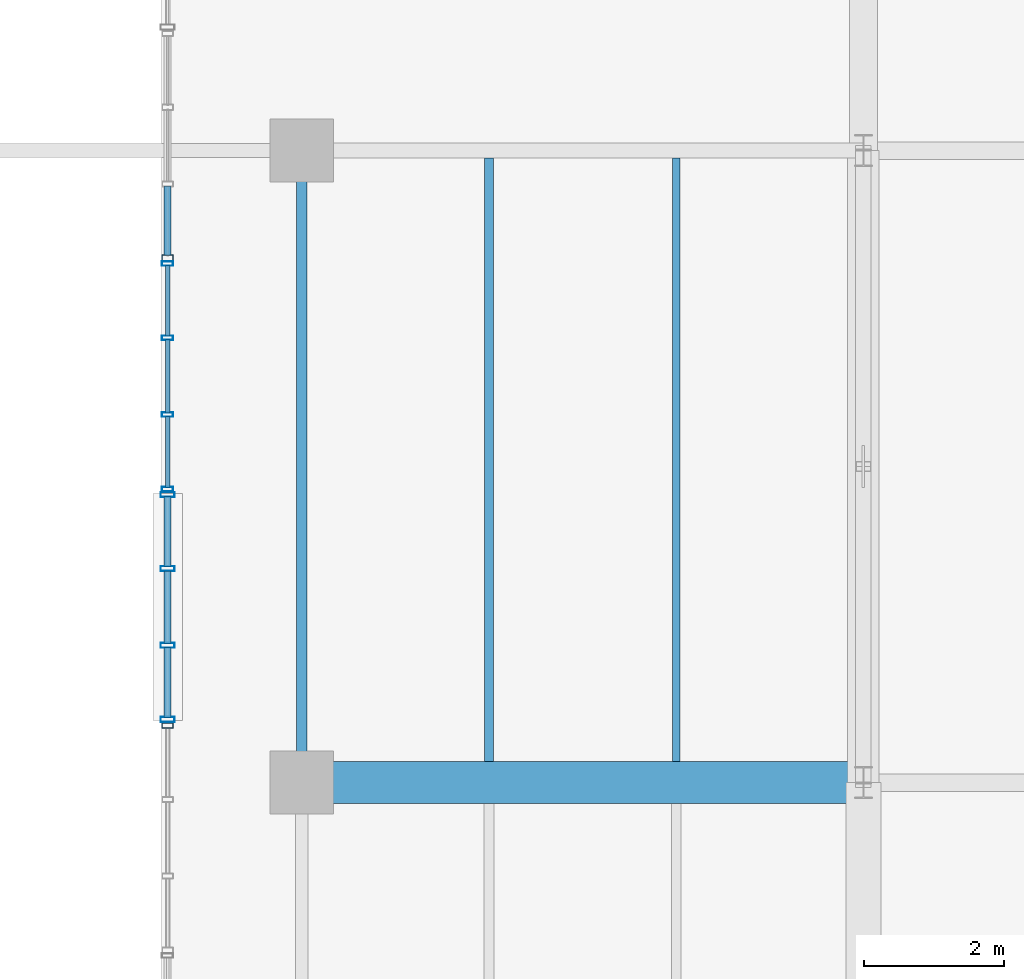
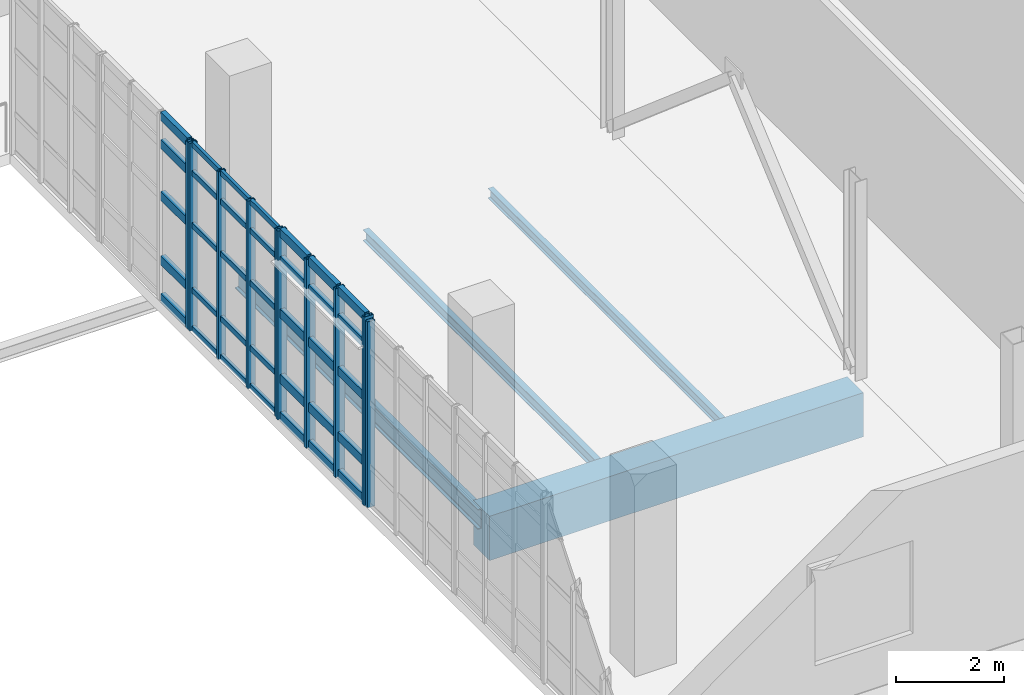
# One storey, part 28 of 85: 45 members, 4 beams, 4 elements without a shape of their own.
"""IFC4 building model written with IfcOpenShell, lengths in metres."""

from ifc_helpers import new_model, si_unit, derived_unit, direction, frame, origin, origin_2d, place, context, subcontext, project, spatial, rectangle, hollow_rectangle, i_section, extrude, material, layer, layer_set, material_profile, profile_set, type_object, element, aggregate, save


model = new_model("IFC4")

# Units and contexts
model_context = context("Model", 3, precision=1e-05, world=origin(), true_north=direction((0.0, 1.0)))
body_context = subcontext(model_context, "Body", "Model", "MODEL_VIEW")
ifc_project = project(units=[si_unit("LENGTHUNIT", "METRE"), si_unit("AREAUNIT", "SQUARE_METRE"), si_unit("VOLUMEUNIT", "CUBIC_METRE"), si_unit("PLANEANGLEUNIT", "RADIAN"), si_unit("MASSUNIT", "GRAM", prefix="KILO"), derived_unit("THERMALTRANSMITTANCEUNIT", [(si_unit("POWERUNIT", "WATT"), 1), (si_unit("LENGTHUNIT", "METRE"), -2), (si_unit("THERMODYNAMICTEMPERATUREUNIT", "KELVIN"), -1)])], contexts=[model_context])

# Site, building, storey
site_placement = place(None, origin())
site = spatial("IfcSite", under=ifc_project, at=site_placement, CompositionType="ELEMENT")
building_placement = place(site_placement, origin())
building = spatial("IfcBuilding", under=site, at=building_placement, Name="Nallur Shell Playhouse", CompositionType="ELEMENT")
storey_placement = place(building_placement, frame((0.0, 0.0, 19.800048828125)))
storey = spatial("IfcBuildingStorey", under=building, at=storey_placement, Name="L05", CompositionType="ELEMENT", Elevation=19.800048828125)

# Beams
ifc_material_1 = material(Name="Steel E250", Category="steel")
ifc_material_profile_1 = material_profile(ifc_material_1, i_section(OverallWidth=0.110107421875, OverallDepth=0.22509765625, WebThickness=0.006591796875, FlangeThickness=0.01171875, FilletRadius=0.011962890625, at=origin_2d()), Name="ISMB 225")
ifc_profile_set_1 = profile_set([ifc_material_profile_1], Name="Steel E250")
beam_type_1 = type_object("IfcBeamType", Name="BM-JST-ISMB225", PredefinedType="JOIST", material=ifc_profile_set_1)
beam_1_placement = place(storey_placement, frame((61.333251953125, 56.298095703125, -0.362548828125), z_axis=(0.0, 1.0, 0.0), x_axis=(-1.0, 0.0, 0.0)))
element("IfcBeam", 1, at=beam_1_placement, inside=storey, type_object=beam_type_1, Name="L05 secondary joist 7-G-1097", PredefinedType="JOIST", context=body_context, shape_type="SweptSolid", body=[
    extrude(i_section(OverallWidth=0.110107421875, OverallDepth=0.22509765625, WebThickness=0.006591796875, FlangeThickness=0.01171875, FilletRadius=0.011962890625, at=origin_2d()), origin(), (0.0, 0.0, 1.0), 8.598876953125),
])
ifc_material_profile_2 = material_profile(ifc_material_1, i_section(OverallWidth=0.125, OverallDepth=0.25, WebThickness=0.0068359375, FlangeThickness=0.012451171875, FilletRadius=0.012939453125, at=origin_2d()), Name="ISMB 250")
ifc_profile_set_2 = profile_set([ifc_material_profile_2], Name="Steel E250")
beam_type_2 = type_object("IfcBeamType", Name="BM-JST-ISMB250", PredefinedType="JOIST", material=ifc_profile_set_2)
beam_2_placement = place(storey_placement, frame((58.666748046875, 56.298095703125, -0.375), z_axis=(0.0, 1.0, 0.0), x_axis=(-1.0, 0.0, 0.0)))
element("IfcBeam", 2, at=beam_2_placement, inside=storey, type_object=beam_type_2, Name="L05 secondary joist 7-G-1096", PredefinedType="JOIST", context=body_context, shape_type="SweptSolid", body=[
    extrude(i_section(OverallWidth=0.125, OverallDepth=0.25, WebThickness=0.0068359375, FlangeThickness=0.012451171875, FilletRadius=0.012939453125, at=origin_2d()), origin(), (0.0, 0.0, 1.0), 8.598876953125),
])
ifc_material_2 = material(Name="Concrete M40", Category="concrete")
ifc_material_profile_3 = material_profile(ifc_material_2, rectangle(XDim=0.60009765625, YDim=1.0, at=origin_2d()), Name="RC 600x1000")
ifc_profile_set_3 = profile_set([ifc_material_profile_3], Name="Concrete M40")
beam_type_3 = type_object("IfcBeamType", Name="BM-RC-600x1000", PredefinedType="BEAM", material=ifc_profile_set_3)
beam_3_placement = place(storey_placement, frame((56.0, 56.0, -0.75), z_axis=(1.0, 0.0, 0.0), x_axis=(0.0, 1.0, 0.0)))
element("IfcBeam", 3, at=beam_3_placement, inside=storey, type_object=beam_type_3, Name="L05 girder X-G-972", PredefinedType="BEAM", context=body_context, shape_type="SweptSolid", body=[
    extrude(rectangle(XDim=0.60009765625, YDim=1.0, at=origin_2d()), origin(), (0.0, 0.0, 1.0), 8.0),
])
ifc_material_3 = material(Name="Steel E350", Category="steel")
ifc_material_profile_4 = material_profile(ifc_material_3, i_section(OverallWidth=0.14990234375, OverallDepth=0.449951171875, WebThickness=0.009521484375, FlangeThickness=0.017333984375, FilletRadius=0.014892578125, at=origin_2d()), Name="ISMB 450")
ifc_profile_set_4 = profile_set([ifc_material_profile_4], Name="Steel E350")
beam_type_4 = type_object("IfcBeamType", Name="BM-ST-ISMB450", PredefinedType="BEAM", material=ifc_profile_set_4)
beam_4_placement = place(storey_placement, frame((56.0, 56.0, -0.47509765625), z_axis=(0.0, 1.0, 0.0), x_axis=(-1.0, 0.0, 0.0)))
element("IfcBeam", 4, at=beam_4_placement, inside=storey, type_object=beam_type_4, Name="L05 girder Y-7-1019", PredefinedType="BEAM", context=body_context, shape_type="SweptSolid", body=[
    extrude(i_section(OverallWidth=0.14990234375, OverallDepth=0.449951171875, WebThickness=0.009521484375, FlangeThickness=0.017333984375, FilletRadius=0.014892578125, at=origin_2d()), origin(), (0.0, 0.0, 1.0), 9.0),
])

# Curtain wall, member
ifc_material_4 = material(Name="Anodised Aluminium Double-Glazed Facade System", Category="aluminium")
ifc_layer_1 = layer(ifc_material_4, 0.1640625)
ifc_layer_set_1 = layer_set([ifc_layer_1], Name="Anodised Aluminium Double-Glazed Facade System")
curtain_wall_type_1 = type_object("IfcCurtainWallType", Name="CW-UNIT-07", PredefinedType="NOTDEFINED", material=ifc_layer_set_1)
curtain_wall_1_placement = place(storey_placement, origin())
curtain_wall_1 = element("IfcCurtainWall", 5, at=curtain_wall_1_placement, inside=storey, type_object=curtain_wall_type_1, Name="Unitised curtain wall CW-167 (L05)", PredefinedType="NOTDEFINED")
ifc_material_5 = material(Name="Aluminium Alloy 6063-T6 Mullion", Category="aluminium")
ifc_material_profile_5 = material_profile(ifc_material_5, hollow_rectangle(XDim=0.080078125, YDim=0.159912109375, WallThickness=0.006103515625, at=origin_2d()), Name="RHS 160x80x6")
ifc_profile_set_5 = profile_set([ifc_material_profile_5], Name="Aluminium Alloy 6063-T6 Mullion")
member_type_1 = type_object("IfcMemberType", Name="MB-CW-MUL150", PredefinedType="MULLION", material=ifc_profile_set_5)
member_1_placement = place(storey_placement, frame((54.090087890625, 56.81201171875, -0.01513671875), z_axis=(0.0, 0.0, 1.0), x_axis=(0.0, 1.0, 0.0)))
member_1 = element("IfcMember", 6, at=member_1_placement, type_object=member_type_1, Name="CW-07 mullion 4", PredefinedType="MULLION", context=body_context, shape_type="SweptSolid", body=[
    extrude(hollow_rectangle(XDim=0.080078125, YDim=0.159912109375, WallThickness=0.006103515625, at=origin_2d()), origin(), (0.0, 0.0, 1.0), 4.208984375),
])
aggregate(curtain_wall_1, [member_1])

ifc_layer_2 = layer(ifc_material_4, 0.176025390625)
ifc_layer_set_2 = layer_set([ifc_layer_2], Name="Anodised Aluminium Double-Glazed Facade System")
curtain_wall_type_2 = type_object("IfcCurtainWallType", Name="CW-UNIT-10", PredefinedType="NOTDEFINED", material=ifc_layer_set_2)
curtain_wall_2_placement = place(storey_placement, origin())
curtain_wall_2 = element("IfcCurtainWall", 7, at=curtain_wall_2_placement, inside=storey, type_object=curtain_wall_type_2, Name="Unitised curtain wall CW-170 (L05)", PredefinedType="NOTDEFINED")
member_2_placement = place(storey_placement, frame((54.090087890625, 63.4736328125, -0.01513671875), z_axis=(0.0, 0.0, 1.0), x_axis=(0.0, 1.0, 0.0)))
member_2 = element("IfcMember", 8, at=member_2_placement, type_object=member_type_1, Name="CW-10 mullion 1", PredefinedType="MULLION", context=body_context, shape_type="SweptSolid", body=[
    extrude(hollow_rectangle(XDim=0.080078125, YDim=0.159912109375, WallThickness=0.006103515625, at=origin_2d()), origin(), (0.0, 0.0, 1.0), 4.22900390625),
])

# Curtain wall, members
ifc_layer_3 = layer(ifc_material_4, 0.172119140625)
ifc_layer_set_3 = layer_set([ifc_layer_3], Name="Anodised Aluminium Double-Glazed Facade System")
curtain_wall_type_3 = type_object("IfcCurtainWallType", Name="CW-UNIT-09", PredefinedType="NOTDEFINED", material=ifc_layer_set_3)
curtain_wall_3_placement = place(storey_placement, origin())
curtain_wall_3 = element("IfcCurtainWall", 9, at=curtain_wall_3_placement, inside=storey, type_object=curtain_wall_type_3, Name="Unitised curtain wall CW-169 (L05)", PredefinedType="NOTDEFINED")
ifc_material_profile_6 = material_profile(ifc_material_5, hollow_rectangle(XDim=0.06494140625, YDim=0.159912109375, WallThickness=0.00390625, at=origin_2d()), Name="ALU 65x160x4")
ifc_profile_set_6 = profile_set([ifc_material_profile_6], Name="Aluminium Alloy 6063-T6 Mullion")
member_type_2 = type_object("IfcMemberType", Name="MB-CW-MUL160", PredefinedType="MULLION", material=ifc_profile_set_6)
member_3_placement = place(storey_placement, frame((54.090087890625, 60.180419921875, -0.01513671875), z_axis=(0.0, 0.0, 1.0), x_axis=(0.0, 1.0, 0.0)))
member_3 = element("IfcMember", 10, at=member_3_placement, type_object=member_type_2, Name="CW-09 mullion 1", PredefinedType="MULLION", context=body_context, shape_type="SweptSolid", body=[
    extrude(hollow_rectangle(XDim=0.06494140625, YDim=0.159912109375, WallThickness=0.00390625, at=origin_2d()), origin(), (0.0, 0.0, 1.0), 4.2490234375),
])
member_4_placement = place(storey_placement, frame((54.090087890625, 61.23974609375, -0.01513671875), z_axis=(0.0, 0.0, 1.0), x_axis=(0.0, 1.0, 0.0)))
member_4 = element("IfcMember", 11, at=member_4_placement, type_object=member_type_2, Name="CW-09 mullion 2", PredefinedType="MULLION", context=body_context, shape_type="SweptSolid", body=[
    extrude(hollow_rectangle(XDim=0.06494140625, YDim=0.159912109375, WallThickness=0.00390625, at=origin_2d()), origin(), (0.0, 0.0, 1.0), 4.2490234375),
])
member_5_placement = place(storey_placement, frame((54.090087890625, 62.331787109375, -0.01513671875), z_axis=(0.0, 0.0, 1.0), x_axis=(0.0, 1.0, 0.0)))
member_5 = element("IfcMember", 12, at=member_5_placement, type_object=member_type_2, Name="CW-09 mullion 3", PredefinedType="MULLION", context=body_context, shape_type="SweptSolid", body=[
    extrude(hollow_rectangle(XDim=0.06494140625, YDim=0.159912109375, WallThickness=0.00390625, at=origin_2d()), origin(), (0.0, 0.0, 1.0), 4.2490234375),
])
member_6_placement = place(storey_placement, frame((54.090087890625, 63.39111328125, -0.01513671875), z_axis=(0.0, 0.0, 1.0), x_axis=(0.0, 1.0, 0.0)))
member_6 = element("IfcMember", 13, at=member_6_placement, type_object=member_type_2, Name="CW-09 mullion 4", PredefinedType="MULLION", context=body_context, shape_type="SweptSolid", body=[
    extrude(hollow_rectangle(XDim=0.06494140625, YDim=0.159912109375, WallThickness=0.00390625, at=origin_2d()), origin(), (0.0, 0.0, 1.0), 4.2490234375),
])

ifc_layer_4 = layer(ifc_material_4, 0.16796875)
ifc_layer_set_4 = layer_set([ifc_layer_4], Name="Anodised Aluminium Double-Glazed Facade System")
curtain_wall_type_4 = type_object("IfcCurtainWallType", Name="CW-UNIT-08", PredefinedType="NOTDEFINED", material=ifc_layer_set_4)
curtain_wall_4_placement = place(storey_placement, origin())
curtain_wall_4 = element("IfcCurtainWall", 14, at=curtain_wall_4_placement, inside=storey, type_object=curtain_wall_type_4, Name="Unitised curtain wall CW-168 (L05)", PredefinedType="NOTDEFINED")
ifc_material_profile_7 = material_profile(ifc_material_5, hollow_rectangle(XDim=0.074951171875, YDim=0.199951171875, WallThickness=0.0048828125, at=origin_2d()), Name="ALU 75x200x5")
ifc_profile_set_7 = profile_set([ifc_material_profile_7], Name="Aluminium Alloy 6063-T6 Mullion")
member_type_3 = type_object("IfcMemberType", Name="MB-CW-MUL180", PredefinedType="MULLION", material=ifc_profile_set_7)
member_7_placement = place(storey_placement, frame((54.090087890625, 56.899658203125, -0.01513671875), z_axis=(0.0, 0.0, 1.0), x_axis=(0.0, 1.0, 0.0)))
member_7 = element("IfcMember", 15, at=member_7_placement, type_object=member_type_3, Name="CW-08 mullion 1", PredefinedType="MULLION", context=body_context, shape_type="SweptSolid", body=[
    extrude(hollow_rectangle(XDim=0.074951171875, YDim=0.199951171875, WallThickness=0.0048828125, at=origin_2d()), origin(), (0.0, 0.0, 1.0), 4.26904296875),
])
member_8_placement = place(storey_placement, frame((54.090087890625, 57.9541015625, -0.01513671875), z_axis=(0.0, 0.0, 1.0), x_axis=(0.0, 1.0, 0.0)))
member_8 = element("IfcMember", 16, at=member_8_placement, type_object=member_type_3, Name="CW-08 mullion 2", PredefinedType="MULLION", context=body_context, shape_type="SweptSolid", body=[
    extrude(hollow_rectangle(XDim=0.074951171875, YDim=0.199951171875, WallThickness=0.0048828125, at=origin_2d()), origin(), (0.0, 0.0, 1.0), 4.26904296875),
])
member_9_placement = place(storey_placement, frame((54.090087890625, 59.0458984375, -0.01513671875), z_axis=(0.0, 0.0, 1.0), x_axis=(0.0, 1.0, 0.0)))
member_9 = element("IfcMember", 17, at=member_9_placement, type_object=member_type_3, Name="CW-08 mullion 3", PredefinedType="MULLION", context=body_context, shape_type="SweptSolid", body=[
    extrude(hollow_rectangle(XDim=0.074951171875, YDim=0.199951171875, WallThickness=0.0048828125, at=origin_2d()), origin(), (0.0, 0.0, 1.0), 4.26904296875),
])
member_10_placement = place(storey_placement, frame((54.090087890625, 60.100341796875, -0.01513671875), z_axis=(0.0, 0.0, 1.0), x_axis=(0.0, 1.0, 0.0)))
member_10 = element("IfcMember", 18, at=member_10_placement, type_object=member_type_3, Name="CW-08 mullion 4", PredefinedType="MULLION", context=body_context, shape_type="SweptSolid", body=[
    extrude(hollow_rectangle(XDim=0.074951171875, YDim=0.199951171875, WallThickness=0.0048828125, at=origin_2d()), origin(), (0.0, 0.0, 1.0), 4.26904296875),
])

# Member
ifc_material_6 = material(Name="Aluminium Alloy 6063-T6 Transom", Category="aluminium")
ifc_material_profile_8 = material_profile(ifc_material_6, hollow_rectangle(XDim=0.06494140625, YDim=0.1201171875, WallThickness=0.00390625, at=origin_2d()), Name="ALU 65x120x4")
ifc_profile_set_8 = profile_set([ifc_material_profile_8], Name="Aluminium Alloy 6063-T6 Transom")
member_type_4 = type_object("IfcMemberType", Name="MB-CW-TRN120", PredefinedType="USERDEFINED", material=ifc_profile_set_8)
member_11_placement = place(storey_placement, frame((54.090087890625, 60.204833984375, 0.032470703125), z_axis=(0.0, 1.0, 0.0), x_axis=(-1.0, 0.0, 0.0)))
member_11 = element("IfcMember", 19, at=member_11_placement, type_object=member_type_4, Name="CW-09 transom 1.1", ObjectType="TRANSOM", PredefinedType="USERDEFINED", context=body_context, shape_type="SweptSolid", body=[
    extrude(hollow_rectangle(XDim=0.06494140625, YDim=0.1201171875, WallThickness=0.00390625, at=origin_2d()), origin(), (0.0, 0.0, 1.0), 1.010498046875),
])

member_12_placement = place(storey_placement, frame((54.090087890625, 60.204833984375, 0.89990234375), z_axis=(0.0, 1.0, 0.0), x_axis=(-1.0, 0.0, 0.0)))
member_12 = element("IfcMember", 20, at=member_12_placement, type_object=member_type_4, Name="CW-09 transom 1.2", ObjectType="TRANSOM", PredefinedType="USERDEFINED", context=body_context, shape_type="SweptSolid", body=[
    extrude(hollow_rectangle(XDim=0.06494140625, YDim=0.1201171875, WallThickness=0.00390625, at=origin_2d()), origin(), (0.0, 0.0, 1.0), 1.010498046875),
])

member_13_placement = place(storey_placement, frame((54.090087890625, 60.204833984375, 2.368896484375), z_axis=(0.0, 1.0, 0.0), x_axis=(-1.0, 0.0, 0.0)))
member_13 = element("IfcMember", 21, at=member_13_placement, type_object=member_type_4, Name="CW-09 transom 1.3", ObjectType="TRANSOM", PredefinedType="USERDEFINED", context=body_context, shape_type="SweptSolid", body=[
    extrude(hollow_rectangle(XDim=0.06494140625, YDim=0.1201171875, WallThickness=0.00390625, at=origin_2d()), origin(), (0.0, 0.0, 1.0), 1.010498046875),
])

member_14_placement = place(storey_placement, frame((54.090087890625, 60.204833984375, 3.550048828125), z_axis=(0.0, 1.0, 0.0), x_axis=(-1.0, 0.0, 0.0)))
member_14 = element("IfcMember", 22, at=member_14_placement, type_object=member_type_4, Name="CW-09 transom 1.4", ObjectType="TRANSOM", PredefinedType="USERDEFINED", context=body_context, shape_type="SweptSolid", body=[
    extrude(hollow_rectangle(XDim=0.06494140625, YDim=0.1201171875, WallThickness=0.00390625, at=origin_2d()), origin(), (0.0, 0.0, 1.0), 1.010498046875),
])

member_15_placement = place(storey_placement, frame((54.090087890625, 60.204833984375, 4.197509765625), z_axis=(0.0, 1.0, 0.0), x_axis=(-1.0, 0.0, 0.0)))
member_15 = element("IfcMember", 23, at=member_15_placement, type_object=member_type_4, Name="CW-09 transom 1.5", ObjectType="TRANSOM", PredefinedType="USERDEFINED", context=body_context, shape_type="SweptSolid", body=[
    extrude(hollow_rectangle(XDim=0.06494140625, YDim=0.1201171875, WallThickness=0.00390625, at=origin_2d()), origin(), (0.0, 0.0, 1.0), 1.010498046875),
])

member_16_placement = place(storey_placement, frame((54.090087890625, 61.264404296875, 0.032470703125), z_axis=(0.0, 1.0, 0.0), x_axis=(-1.0, 0.0, 0.0)))
member_16 = element("IfcMember", 24, at=member_16_placement, type_object=member_type_4, Name="CW-09 transom 2.1", ObjectType="TRANSOM", PredefinedType="USERDEFINED", context=body_context, shape_type="SweptSolid", body=[
    extrude(hollow_rectangle(XDim=0.06494140625, YDim=0.1201171875, WallThickness=0.00390625, at=origin_2d()), origin(), (0.0, 0.0, 1.0), 1.042724609375),
])

member_17_placement = place(storey_placement, frame((54.090087890625, 61.264404296875, 0.89990234375), z_axis=(0.0, 1.0, 0.0), x_axis=(-1.0, 0.0, 0.0)))
member_17 = element("IfcMember", 25, at=member_17_placement, type_object=member_type_4, Name="CW-09 transom 2.2", ObjectType="TRANSOM", PredefinedType="USERDEFINED", context=body_context, shape_type="SweptSolid", body=[
    extrude(hollow_rectangle(XDim=0.06494140625, YDim=0.1201171875, WallThickness=0.00390625, at=origin_2d()), origin(), (0.0, 0.0, 1.0), 1.042724609375),
])

member_18_placement = place(storey_placement, frame((54.090087890625, 61.264404296875, 2.368896484375), z_axis=(0.0, 1.0, 0.0), x_axis=(-1.0, 0.0, 0.0)))
member_18 = element("IfcMember", 26, at=member_18_placement, type_object=member_type_4, Name="CW-09 transom 2.3", ObjectType="TRANSOM", PredefinedType="USERDEFINED", context=body_context, shape_type="SweptSolid", body=[
    extrude(hollow_rectangle(XDim=0.06494140625, YDim=0.1201171875, WallThickness=0.00390625, at=origin_2d()), origin(), (0.0, 0.0, 1.0), 1.042724609375),
])

member_19_placement = place(storey_placement, frame((54.090087890625, 61.264404296875, 3.550048828125), z_axis=(0.0, 1.0, 0.0), x_axis=(-1.0, 0.0, 0.0)))
member_19 = element("IfcMember", 27, at=member_19_placement, type_object=member_type_4, Name="CW-09 transom 2.4", ObjectType="TRANSOM", PredefinedType="USERDEFINED", context=body_context, shape_type="SweptSolid", body=[
    extrude(hollow_rectangle(XDim=0.06494140625, YDim=0.1201171875, WallThickness=0.00390625, at=origin_2d()), origin(), (0.0, 0.0, 1.0), 1.042724609375),
])

member_20_placement = place(storey_placement, frame((54.090087890625, 61.264404296875, 4.197509765625), z_axis=(0.0, 1.0, 0.0), x_axis=(-1.0, 0.0, 0.0)))
member_20 = element("IfcMember", 28, at=member_20_placement, type_object=member_type_4, Name="CW-09 transom 2.5", ObjectType="TRANSOM", PredefinedType="USERDEFINED", context=body_context, shape_type="SweptSolid", body=[
    extrude(hollow_rectangle(XDim=0.06494140625, YDim=0.1201171875, WallThickness=0.00390625, at=origin_2d()), origin(), (0.0, 0.0, 1.0), 1.042724609375),
])

member_21_placement = place(storey_placement, frame((54.090087890625, 62.356201171875, 0.032470703125), z_axis=(0.0, 1.0, 0.0), x_axis=(-1.0, 0.0, 0.0)))
member_21 = element("IfcMember", 29, at=member_21_placement, type_object=member_type_4, Name="CW-09 transom 3.1", ObjectType="TRANSOM", PredefinedType="USERDEFINED", context=body_context, shape_type="SweptSolid", body=[
    extrude(hollow_rectangle(XDim=0.06494140625, YDim=0.1201171875, WallThickness=0.00390625, at=origin_2d()), origin(), (0.0, 0.0, 1.0), 1.010498046875),
])

member_22_placement = place(storey_placement, frame((54.090087890625, 62.356201171875, 0.89990234375), z_axis=(0.0, 1.0, 0.0), x_axis=(-1.0, 0.0, 0.0)))
member_22 = element("IfcMember", 30, at=member_22_placement, type_object=member_type_4, Name="CW-09 transom 3.2", ObjectType="TRANSOM", PredefinedType="USERDEFINED", context=body_context, shape_type="SweptSolid", body=[
    extrude(hollow_rectangle(XDim=0.06494140625, YDim=0.1201171875, WallThickness=0.00390625, at=origin_2d()), origin(), (0.0, 0.0, 1.0), 1.010498046875),
])

member_23_placement = place(storey_placement, frame((54.090087890625, 62.356201171875, 2.368896484375), z_axis=(0.0, 1.0, 0.0), x_axis=(-1.0, 0.0, 0.0)))
member_23 = element("IfcMember", 31, at=member_23_placement, type_object=member_type_4, Name="CW-09 transom 3.3", ObjectType="TRANSOM", PredefinedType="USERDEFINED", context=body_context, shape_type="SweptSolid", body=[
    extrude(hollow_rectangle(XDim=0.06494140625, YDim=0.1201171875, WallThickness=0.00390625, at=origin_2d()), origin(), (0.0, 0.0, 1.0), 1.010498046875),
])

member_24_placement = place(storey_placement, frame((54.090087890625, 62.356201171875, 3.550048828125), z_axis=(0.0, 1.0, 0.0), x_axis=(-1.0, 0.0, 0.0)))
member_24 = element("IfcMember", 32, at=member_24_placement, type_object=member_type_4, Name="CW-09 transom 3.4", ObjectType="TRANSOM", PredefinedType="USERDEFINED", context=body_context, shape_type="SweptSolid", body=[
    extrude(hollow_rectangle(XDim=0.06494140625, YDim=0.1201171875, WallThickness=0.00390625, at=origin_2d()), origin(), (0.0, 0.0, 1.0), 1.010498046875),
])

member_25_placement = place(storey_placement, frame((54.090087890625, 62.356201171875, 4.197509765625), z_axis=(0.0, 1.0, 0.0), x_axis=(-1.0, 0.0, 0.0)))
member_25 = element("IfcMember", 33, at=member_25_placement, type_object=member_type_4, Name="CW-09 transom 3.5", ObjectType="TRANSOM", PredefinedType="USERDEFINED", context=body_context, shape_type="SweptSolid", body=[
    extrude(hollow_rectangle(XDim=0.06494140625, YDim=0.1201171875, WallThickness=0.00390625, at=origin_2d()), origin(), (0.0, 0.0, 1.0), 1.010498046875),
])

aggregate(curtain_wall_3, [member_3, member_4, member_5, member_6, member_11, member_12, member_13, member_14, member_15, member_16, member_17, member_18, member_19, member_20, member_21, member_22, member_23, member_24, member_25])

ifc_material_profile_9 = material_profile(ifc_material_6, hollow_rectangle(XDim=0.10009765625, YDim=0.199951171875, WallThickness=0.008056640625, at=origin_2d()), Name="RHS 200x100x8")
ifc_profile_set_9 = profile_set([ifc_material_profile_9], Name="Aluminium Alloy 6063-T6 Transom")
member_type_5 = type_object("IfcMemberType", Name="MB-CW-TRN140", PredefinedType="USERDEFINED", material=ifc_profile_set_9)
member_26_placement = place(storey_placement, frame((54.090087890625, 56.92919921875, 0.050048828125), z_axis=(0.0, 1.0, 0.0), x_axis=(-1.0, 0.0, 0.0)))
member_26 = element("IfcMember", 34, at=member_26_placement, type_object=member_type_5, Name="CW-08 transom 1.1", ObjectType="TRANSOM", PredefinedType="USERDEFINED", context=body_context, shape_type="SweptSolid", body=[
    extrude(hollow_rectangle(XDim=0.10009765625, YDim=0.199951171875, WallThickness=0.008056640625, at=origin_2d()), origin(), (0.0, 0.0, 1.0), 0.995361328125),
])

member_27_placement = place(storey_placement, frame((54.090087890625, 56.92919921875, 0.89990234375), z_axis=(0.0, 1.0, 0.0), x_axis=(-1.0, 0.0, 0.0)))
member_27 = element("IfcMember", 35, at=member_27_placement, type_object=member_type_5, Name="CW-08 transom 1.2", ObjectType="TRANSOM", PredefinedType="USERDEFINED", context=body_context, shape_type="SweptSolid", body=[
    extrude(hollow_rectangle(XDim=0.10009765625, YDim=0.199951171875, WallThickness=0.008056640625, at=origin_2d()), origin(), (0.0, 0.0, 1.0), 0.995361328125),
])

member_28_placement = place(storey_placement, frame((54.090087890625, 56.92919921875, 2.3798828125), z_axis=(0.0, 1.0, 0.0), x_axis=(-1.0, 0.0, 0.0)))
member_28 = element("IfcMember", 36, at=member_28_placement, type_object=member_type_5, Name="CW-08 transom 1.3", ObjectType="TRANSOM", PredefinedType="USERDEFINED", context=body_context, shape_type="SweptSolid", body=[
    extrude(hollow_rectangle(XDim=0.10009765625, YDim=0.199951171875, WallThickness=0.008056640625, at=origin_2d()), origin(), (0.0, 0.0, 1.0), 0.995361328125),
])

member_29_placement = place(storey_placement, frame((54.090087890625, 56.92919921875, 3.570068359375), z_axis=(0.0, 1.0, 0.0), x_axis=(-1.0, 0.0, 0.0)))
member_29 = element("IfcMember", 37, at=member_29_placement, type_object=member_type_5, Name="CW-08 transom 1.4", ObjectType="TRANSOM", PredefinedType="USERDEFINED", context=body_context, shape_type="SweptSolid", body=[
    extrude(hollow_rectangle(XDim=0.10009765625, YDim=0.199951171875, WallThickness=0.008056640625, at=origin_2d()), origin(), (0.0, 0.0, 1.0), 0.995361328125),
])

member_30_placement = place(storey_placement, frame((54.090087890625, 56.92919921875, 4.199951171875), z_axis=(0.0, 1.0, 0.0), x_axis=(-1.0, 0.0, 0.0)))
member_30 = element("IfcMember", 38, at=member_30_placement, type_object=member_type_5, Name="CW-08 transom 1.5", ObjectType="TRANSOM", PredefinedType="USERDEFINED", context=body_context, shape_type="SweptSolid", body=[
    extrude(hollow_rectangle(XDim=0.10009765625, YDim=0.199951171875, WallThickness=0.008056640625, at=origin_2d()), origin(), (0.0, 0.0, 1.0), 0.995361328125),
])

member_31_placement = place(storey_placement, frame((54.090087890625, 57.983642578125, 0.050048828125), z_axis=(0.0, 1.0, 0.0), x_axis=(-1.0, 0.0, 0.0)))
member_31 = element("IfcMember", 39, at=member_31_placement, type_object=member_type_5, Name="CW-08 transom 2.1", ObjectType="TRANSOM", PredefinedType="USERDEFINED", context=body_context, shape_type="SweptSolid", body=[
    extrude(hollow_rectangle(XDim=0.10009765625, YDim=0.199951171875, WallThickness=0.008056640625, at=origin_2d()), origin(), (0.0, 0.0, 1.0), 1.03271484375),
])

member_32_placement = place(storey_placement, frame((54.090087890625, 57.983642578125, 0.89990234375), z_axis=(0.0, 1.0, 0.0), x_axis=(-1.0, 0.0, 0.0)))
member_32 = element("IfcMember", 40, at=member_32_placement, type_object=member_type_5, Name="CW-08 transom 2.2", ObjectType="TRANSOM", PredefinedType="USERDEFINED", context=body_context, shape_type="SweptSolid", body=[
    extrude(hollow_rectangle(XDim=0.10009765625, YDim=0.199951171875, WallThickness=0.008056640625, at=origin_2d()), origin(), (0.0, 0.0, 1.0), 1.03271484375),
])

member_33_placement = place(storey_placement, frame((54.090087890625, 57.983642578125, 2.3798828125), z_axis=(0.0, 1.0, 0.0), x_axis=(-1.0, 0.0, 0.0)))
member_33 = element("IfcMember", 41, at=member_33_placement, type_object=member_type_5, Name="CW-08 transom 2.3", ObjectType="TRANSOM", PredefinedType="USERDEFINED", context=body_context, shape_type="SweptSolid", body=[
    extrude(hollow_rectangle(XDim=0.10009765625, YDim=0.199951171875, WallThickness=0.008056640625, at=origin_2d()), origin(), (0.0, 0.0, 1.0), 1.03271484375),
])

member_34_placement = place(storey_placement, frame((54.090087890625, 57.983642578125, 3.570068359375), z_axis=(0.0, 1.0, 0.0), x_axis=(-1.0, 0.0, 0.0)))
member_34 = element("IfcMember", 42, at=member_34_placement, type_object=member_type_5, Name="CW-08 transom 2.4", ObjectType="TRANSOM", PredefinedType="USERDEFINED", context=body_context, shape_type="SweptSolid", body=[
    extrude(hollow_rectangle(XDim=0.10009765625, YDim=0.199951171875, WallThickness=0.008056640625, at=origin_2d()), origin(), (0.0, 0.0, 1.0), 1.03271484375),
])

member_35_placement = place(storey_placement, frame((54.090087890625, 57.983642578125, 4.199951171875), z_axis=(0.0, 1.0, 0.0), x_axis=(-1.0, 0.0, 0.0)))
member_35 = element("IfcMember", 43, at=member_35_placement, type_object=member_type_5, Name="CW-08 transom 2.5", ObjectType="TRANSOM", PredefinedType="USERDEFINED", context=body_context, shape_type="SweptSolid", body=[
    extrude(hollow_rectangle(XDim=0.10009765625, YDim=0.199951171875, WallThickness=0.008056640625, at=origin_2d()), origin(), (0.0, 0.0, 1.0), 1.03271484375),
])

member_36_placement = place(storey_placement, frame((54.090087890625, 59.075439453125, 0.050048828125), z_axis=(0.0, 1.0, 0.0), x_axis=(-1.0, 0.0, 0.0)))
member_36 = element("IfcMember", 44, at=member_36_placement, type_object=member_type_5, Name="CW-08 transom 3.1", ObjectType="TRANSOM", PredefinedType="USERDEFINED", context=body_context, shape_type="SweptSolid", body=[
    extrude(hollow_rectangle(XDim=0.10009765625, YDim=0.199951171875, WallThickness=0.008056640625, at=origin_2d()), origin(), (0.0, 0.0, 1.0), 0.995361328125),
])

member_37_placement = place(storey_placement, frame((54.090087890625, 59.075439453125, 0.89990234375), z_axis=(0.0, 1.0, 0.0), x_axis=(-1.0, 0.0, 0.0)))
member_37 = element("IfcMember", 45, at=member_37_placement, type_object=member_type_5, Name="CW-08 transom 3.2", ObjectType="TRANSOM", PredefinedType="USERDEFINED", context=body_context, shape_type="SweptSolid", body=[
    extrude(hollow_rectangle(XDim=0.10009765625, YDim=0.199951171875, WallThickness=0.008056640625, at=origin_2d()), origin(), (0.0, 0.0, 1.0), 0.995361328125),
])

member_38_placement = place(storey_placement, frame((54.090087890625, 59.075439453125, 2.3798828125), z_axis=(0.0, 1.0, 0.0), x_axis=(-1.0, 0.0, 0.0)))
member_38 = element("IfcMember", 46, at=member_38_placement, type_object=member_type_5, Name="CW-08 transom 3.3", ObjectType="TRANSOM", PredefinedType="USERDEFINED", context=body_context, shape_type="SweptSolid", body=[
    extrude(hollow_rectangle(XDim=0.10009765625, YDim=0.199951171875, WallThickness=0.008056640625, at=origin_2d()), origin(), (0.0, 0.0, 1.0), 0.995361328125),
])

member_39_placement = place(storey_placement, frame((54.090087890625, 59.075439453125, 3.570068359375), z_axis=(0.0, 1.0, 0.0), x_axis=(-1.0, 0.0, 0.0)))
member_39 = element("IfcMember", 47, at=member_39_placement, type_object=member_type_5, Name="CW-08 transom 3.4", ObjectType="TRANSOM", PredefinedType="USERDEFINED", context=body_context, shape_type="SweptSolid", body=[
    extrude(hollow_rectangle(XDim=0.10009765625, YDim=0.199951171875, WallThickness=0.008056640625, at=origin_2d()), origin(), (0.0, 0.0, 1.0), 0.995361328125),
])

member_40_placement = place(storey_placement, frame((54.090087890625, 59.075439453125, 4.199951171875), z_axis=(0.0, 1.0, 0.0), x_axis=(-1.0, 0.0, 0.0)))
member_40 = element("IfcMember", 48, at=member_40_placement, type_object=member_type_5, Name="CW-08 transom 3.5", ObjectType="TRANSOM", PredefinedType="USERDEFINED", context=body_context, shape_type="SweptSolid", body=[
    extrude(hollow_rectangle(XDim=0.10009765625, YDim=0.199951171875, WallThickness=0.008056640625, at=origin_2d()), origin(), (0.0, 0.0, 1.0), 0.995361328125),
])

aggregate(curtain_wall_4, [member_7, member_8, member_9, member_10, member_26, member_27, member_28, member_29, member_30, member_31, member_32, member_33, member_34, member_35, member_36, member_37, member_38, member_39, member_40])

member_41_placement = place(storey_placement, frame((54.090087890625, 63.505615234375, 0.050048828125), z_axis=(0.0, 1.0, 0.0), x_axis=(-1.0, 0.0, 0.0)))
member_41 = element("IfcMember", 49, at=member_41_placement, type_object=member_type_5, Name="CW-10 transom 1.1", ObjectType="TRANSOM", PredefinedType="USERDEFINED", context=body_context, shape_type="SweptSolid", body=[
    extrude(hollow_rectangle(XDim=0.10009765625, YDim=0.199951171875, WallThickness=0.008056640625, at=origin_2d()), origin(), (0.0, 0.0, 1.0), 0.98779296875),
])

member_42_placement = place(storey_placement, frame((54.090087890625, 63.505615234375, 0.89990234375), z_axis=(0.0, 1.0, 0.0), x_axis=(-1.0, 0.0, 0.0)))
member_42 = element("IfcMember", 50, at=member_42_placement, type_object=member_type_5, Name="CW-10 transom 1.2", ObjectType="TRANSOM", PredefinedType="USERDEFINED", context=body_context, shape_type="SweptSolid", body=[
    extrude(hollow_rectangle(XDim=0.10009765625, YDim=0.199951171875, WallThickness=0.008056640625, at=origin_2d()), origin(), (0.0, 0.0, 1.0), 0.98779296875),
])

member_43_placement = place(storey_placement, frame((54.090087890625, 63.505615234375, 2.35791015625), z_axis=(0.0, 1.0, 0.0), x_axis=(-1.0, 0.0, 0.0)))
member_43 = element("IfcMember", 51, at=member_43_placement, type_object=member_type_5, Name="CW-10 transom 1.3", ObjectType="TRANSOM", PredefinedType="USERDEFINED", context=body_context, shape_type="SweptSolid", body=[
    extrude(hollow_rectangle(XDim=0.10009765625, YDim=0.199951171875, WallThickness=0.008056640625, at=origin_2d()), origin(), (0.0, 0.0, 1.0), 0.98779296875),
])

member_44_placement = place(storey_placement, frame((54.090087890625, 63.505615234375, 3.530029296875), z_axis=(0.0, 1.0, 0.0), x_axis=(-1.0, 0.0, 0.0)))
member_44 = element("IfcMember", 52, at=member_44_placement, type_object=member_type_5, Name="CW-10 transom 1.4", ObjectType="TRANSOM", PredefinedType="USERDEFINED", context=body_context, shape_type="SweptSolid", body=[
    extrude(hollow_rectangle(XDim=0.10009765625, YDim=0.199951171875, WallThickness=0.008056640625, at=origin_2d()), origin(), (0.0, 0.0, 1.0), 0.98779296875),
])

member_45_placement = place(storey_placement, frame((54.090087890625, 63.505615234375, 4.159912109375), z_axis=(0.0, 1.0, 0.0), x_axis=(-1.0, 0.0, 0.0)))
member_45 = element("IfcMember", 53, at=member_45_placement, type_object=member_type_5, Name="CW-10 transom 1.5", ObjectType="TRANSOM", PredefinedType="USERDEFINED", context=body_context, shape_type="SweptSolid", body=[
    extrude(hollow_rectangle(XDim=0.10009765625, YDim=0.199951171875, WallThickness=0.008056640625, at=origin_2d()), origin(), (0.0, 0.0, 1.0), 0.98779296875),
])

aggregate(curtain_wall_2, [member_2, member_41, member_42, member_43, member_44, member_45])

save(model, "model.ifc")
